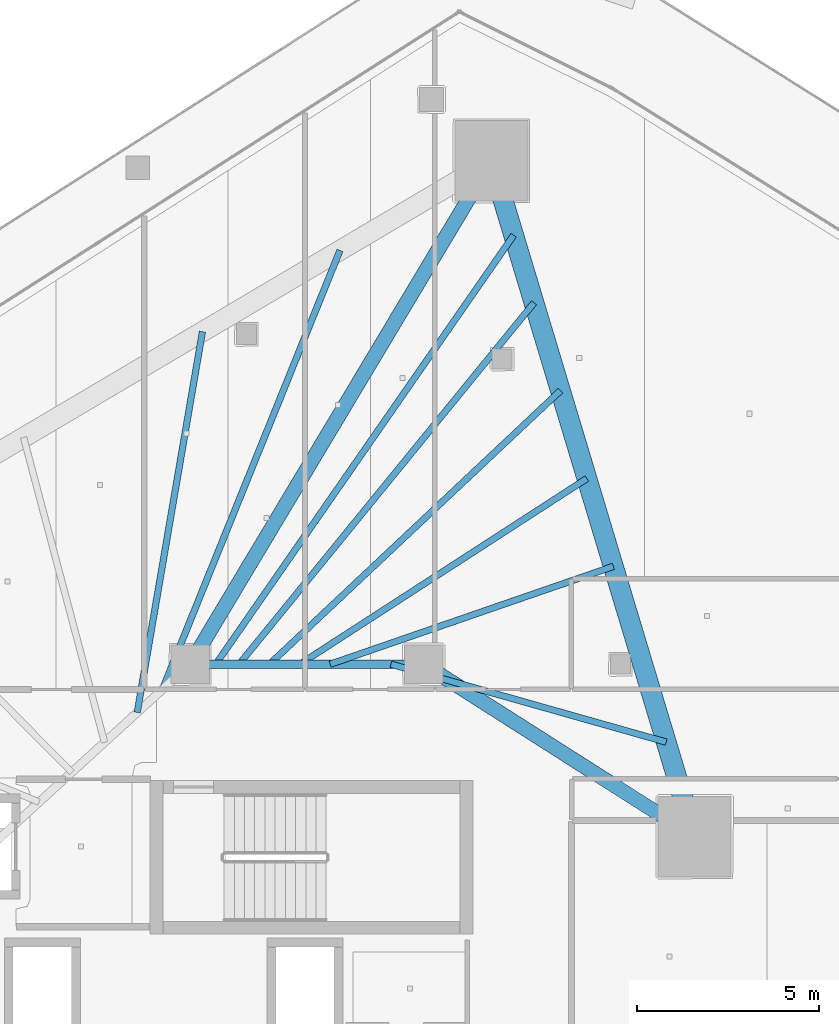
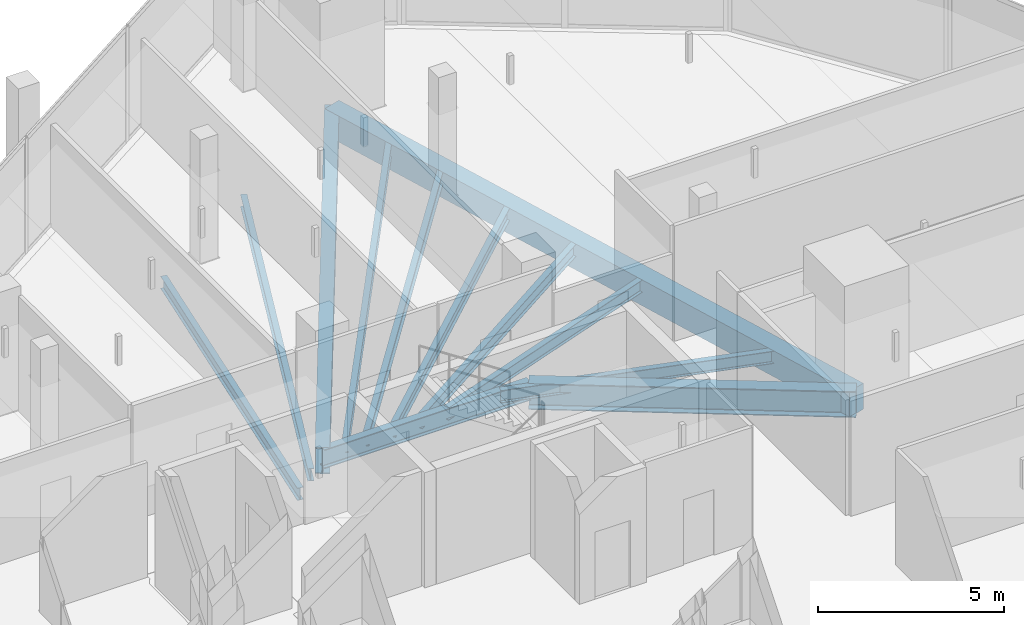
# One storey, part 19 of 39: 12 beams.
"""IFC4 building model written with IfcOpenShell, lengths in metres."""

import ifcopenshell
import ifcopenshell.guid

model = None  # the IFC model being written
_history = None  # IfcOwnerHistory: only IFC2X3 demands one
_inside = {}  # id of a spatial element -> (the spatial element, [elements in it])
_under = {}  # id of a project, library or spatial element -> (it, [spatial elements below it])
_declared = {}  # id of a project -> (the project, [libraries it declares])
_typed = {}  # id of a type object -> (the type object, [elements of that type])
_made_of = {}  # id of a material, layer set ... -> (it, [elements and type objects made of it])


def new_model(schema):
    """Start an empty IFC model of exactly this schema.

    Asked for "IFC4X3", IfcOpenShell would pick the latest addendum, in which some entities
    have other attributes; the version numbers below select the first issue.
    IFC2X3 requires an IfcOwnerHistory on every rooted entity: one is made here for all.
    """
    global model, _history
    if schema == "IFC4X3":
        model = ifcopenshell.file(schema_version=(4, 3, 0, 0))
    else:
        model = ifcopenshell.file(schema=schema)
    _inside.clear()
    _under.clear()
    _declared.clear()
    _typed.clear()
    _made_of.clear()
    _history = None
    if model.schema == "IFC2X3":
        org = make("IfcOrganization", Name="unknown")
        user = make(
            "IfcPersonAndOrganization",
            ThePerson=make("IfcPerson", FamilyName="unknown"),
            TheOrganization=org,
        )
        app = make(
            "IfcApplication",
            ApplicationDeveloper=org,
            Version="unknown",
            ApplicationFullName="unknown",
            ApplicationIdentifier="unknown",
        )
        _history = make(
            "IfcOwnerHistory",
            OwningUser=user,
            OwningApplication=app,
            ChangeAction="ADDED",
            CreationDate=0,
        )
    return model


def make(cls, **values):
    """One entity of the class cls with the attributes given. An attribute that is None is left unset."""
    return model.create_entity(
        cls, **{name: value for name, value in values.items() if value is not None}
    )


def rooted(cls, **values):
    """An entity with a GlobalId (a new one), such as an element, a storey or a relation."""
    return make(cls, GlobalId=ifcopenshell.guid.new(), OwnerHistory=_history, **values)


def si_unit(unit_type, name, prefix=None):
    """IfcSIUnit, for example si_unit("LENGTHUNIT", "METRE", prefix="MILLI")."""
    return make("IfcSIUnit", UnitType=unit_type, Prefix=prefix, Name=name)


def assignment(units):
    """IfcUnitAssignment: the units of a project."""
    return None if units is None else make("IfcUnitAssignment", Units=units)


def point(xyz):
    """IfcCartesianPoint."""
    return None if xyz is None else make("IfcCartesianPoint", Coordinates=xyz)


def direction(xyz):
    """IfcDirection."""
    return None if xyz is None else make("IfcDirection", DirectionRatios=xyz)


def frame(location, z_axis=None, x_axis=None):
    """IfcAxis2Placement3D, a coordinate frame: its origin and axes. An axis left out is left unset."""
    return make(
        "IfcAxis2Placement3D",
        Location=point(location),
        Axis=direction(z_axis),
        RefDirection=direction(x_axis),
    )


def frame_2d(location, x_axis=None):
    """IfcAxis2Placement2D, a coordinate frame in the plane: its origin and x axis."""
    return make(
        "IfcAxis2Placement2D", Location=point(location), RefDirection=direction(x_axis)
    )


def origin():
    """The frame at (0, 0, 0) with its axes left unset."""
    return frame((0.0, 0.0, 0.0))


def origin_2d():
    """The frame at (0, 0) in the plane with its x axis left unset."""
    return frame_2d((0.0, 0.0))


def place(relative_to, where):
    """IfcLocalPlacement: puts the frame where relative to a parent placement (None: the world)."""
    return make(
        "IfcLocalPlacement", PlacementRelTo=relative_to, RelativePlacement=where
    )


def context(
    kind, dimensions, precision=None, world=None, true_north=None, identifier=None
):
    """IfcGeometricRepresentationContext, for example the 3D "Model" context."""
    return make(
        "IfcGeometricRepresentationContext",
        ContextIdentifier=identifier,
        ContextType=kind,
        CoordinateSpaceDimension=dimensions,
        Precision=precision,
        WorldCoordinateSystem=world,
        TrueNorth=true_north,
    )


def subcontext(parent, identifier, kind, view, scale=None):
    """IfcGeometricRepresentationSubContext, for example "Body" below "Model"."""
    return make(
        "IfcGeometricRepresentationSubContext",
        ContextIdentifier=identifier,
        ContextType=kind,
        ParentContext=parent,
        TargetScale=scale,
        TargetView=view,
    )


def project(units=None, contexts=None):
    """IfcProject with its units and contexts."""
    return rooted(
        "IfcProject",
        Name="project",
        RepresentationContexts=contexts,
        UnitsInContext=assignment(units),
    )


def spatial(cls, under=None, at=None, **own):
    """A site, building, storey or space (cls), placed at a placement, below another one or the project."""
    s = rooted(cls, ObjectPlacement=at, **own)
    if under is not None:
        _under.setdefault(under.id(), (under, []))[1].append(s)
    return s


def profile(cls, at=None, kind="AREA", **sizes):
    """A parametric profile (cls). Its sizes go by their IFC names, for example OverallWidth=200.0."""
    return make(cls, ProfileType=kind, Position=at, **sizes)


def rectangle(**sizes):
    """IfcRectangleProfileDef."""
    return profile("IfcRectangleProfileDef", **sizes)


def i_section(**sizes):
    """IfcIShapeProfileDef."""
    return profile("IfcIShapeProfileDef", **sizes)


def extrude(swept, where, along, depth):
    """IfcExtrudedAreaSolid: the profile swept, set in the frame where, extruded along a direction by depth."""
    return make(
        "IfcExtrudedAreaSolid",
        SweptArea=swept,
        Position=where,
        ExtrudedDirection=direction(along),
        Depth=depth,
    )


def shape(context_of_items, identifier, shape_type, items):
    """IfcShapeRepresentation: the items that make up one representation, for example the "Body"."""
    return make(
        "IfcShapeRepresentation",
        ContextOfItems=context_of_items,
        RepresentationIdentifier=identifier,
        RepresentationType=shape_type,
        Items=items,
    )


def material(Name=None, Category=None):
    """IfcMaterial."""
    return make("IfcMaterial", Name=Name, Category=Category)


def material_profile(
    of_material, cross_section, Name=None, Category=None, Priority=None
):
    """IfcMaterialProfile: a cross section and its material."""
    return make(
        "IfcMaterialProfile",
        Name=Name,
        Material=of_material,
        Profile=cross_section,
        Priority=Priority,
        Category=Category,
    )


def profile_set(profiles, Name=None, composite=None):
    """IfcMaterialProfileSet."""
    return make(
        "IfcMaterialProfileSet",
        Name=Name,
        MaterialProfiles=profiles,
        CompositeProfile=composite,
    )


def made_of(thing, what):
    """Note that an element or type object is made of a material, layer set ...; save() writes the relation."""
    if what is not None:
        _made_of.setdefault(what.id(), (what, []))[1].append(thing)
    return thing


def type_object(cls, material=None, **own):
    """A type object (cls), such as IfcWallType, which elements share."""
    return made_of(rooted(cls, **own), material)


def element(
    cls,
    number,
    at=None,
    inside=None,
    cuts=None,
    type_object=None,
    material=None,
    context=None,
    identifier="Body",
    shape_type=None,
    held_by="IfcProductDefinitionShape",
    body=None,
    shapes=None,
    **own,
):
    """One element of the class cls, such as IfcWall. Its Tag is "e" and its number.

    at: its placement. inside: the storey or other place that contains it. cuts: it is an
    opening in that element (IfcRelVoidsElement). A single representation is given by context,
    identifier, shape_type and body (its items); several are given by shapes. held_by: the class
    of the entity that holds the representations. save() writes the other relations.
    """
    e = rooted(cls, Tag="e%d" % number, ObjectPlacement=at, **own)
    if body is not None:
        shapes = [shape(context, identifier, shape_type, body)]
    if shapes is not None:
        e.Representation = make(held_by, Representations=shapes)
    if inside is not None:
        _inside.setdefault(inside.id(), (inside, []))[1].append(e)
    if cuts is not None:
        rooted(
            "IfcRelVoidsElement", RelatingBuildingElement=cuts, RelatedOpeningElement=e
        )
    if type_object is not None:
        _typed.setdefault(type_object.id(), (type_object, []))[1].append(e)
    return made_of(e, material)


def aggregate(whole, parts):
    """IfcRelAggregates: a whole, such as a stair, and the parts it consists of."""
    return rooted("IfcRelAggregates", RelatingObject=whole, RelatedObjects=parts)


def save(model, path):
    """Write the relations noted so far, then the file.

    IfcRelAggregates (storeys below a building ...), IfcRelContainedInSpatialStructure (elements
    in a storey), IfcRelDefinesByType, IfcRelAssociatesMaterial and IfcRelDeclares: one each for
    every whole, place, type object, material and project.
    """
    for whole, parts in _under.values():
        aggregate(whole, parts)
    for where, things in _inside.values():
        rooted(
            "IfcRelContainedInSpatialStructure",
            RelatedElements=things,
            RelatingStructure=where,
        )
    for kind, things in _typed.values():
        rooted("IfcRelDefinesByType", RelatedObjects=things, RelatingType=kind)
    for what, things in _made_of.values():
        rooted("IfcRelAssociatesMaterial", RelatedObjects=things, RelatingMaterial=what)
    for by, libraries in _declared.values():
        rooted("IfcRelDeclares", RelatingContext=by, RelatedDefinitions=libraries)
    model.write(path)


model = new_model("IFC4")

# Units and contexts
model_context = context("Model", 3, precision=1e-05, world=origin(), true_north=direction((0.0, 1.0)))
body_context = subcontext(model_context, "Body", "Model", "MODEL_VIEW")
ifc_project = project(units=[si_unit("LENGTHUNIT", "METRE"), si_unit("AREAUNIT", "SQUARE_METRE"), si_unit("VOLUMEUNIT", "CUBIC_METRE"), si_unit("PLANEANGLEUNIT", "RADIAN"), si_unit("MASSUNIT", "GRAM", prefix="KILO")], contexts=[model_context])

# Site, building, storey
site_placement = place(None, origin())
site = spatial("IfcSite", under=ifc_project, at=site_placement, CompositionType="ELEMENT")
building_placement = place(site_placement, origin())
building = spatial("IfcBuilding", under=site, at=building_placement, Name="Qorvath Tower", CompositionType="ELEMENT")
storey_placement = place(building_placement, frame((0.0, 0.0, 162.449951171875)))
storey = spatial("IfcBuildingStorey", under=building, at=storey_placement, Name="L37", CompositionType="ELEMENT", Elevation=162.449951171875)

# Beams
ifc_material_1 = material(Name="Steel ASTM A992 Grade 50", Category="steel")
ifc_material_profile_1 = material_profile(ifc_material_1, i_section(OverallWidth=0.39892578125, OverallDepth=0.85498046875, WebThickness=0.018310546875, FlangeThickness=0.029296875, FilletRadius=0.02001953125, at=origin_2d()), Name="W33x201")
ifc_profile_set_1 = profile_set([ifc_material_profile_1], Name="Steel ASTM A992 Grade 50")
beam_type_1 = type_object("IfcBeamType", Name="BM-FG2", PredefinedType="BEAM", material=ifc_profile_set_1)
beam_1_placement = place(storey_placement, frame((-23.60009765625, 11.449951171875, -0.697509765625), z_axis=(0.513497213955, 0.85809126045, 0.0), x_axis=(-0.85809126045, 0.513497213955, 0.0)))
element("IfcBeam", 1, at=beam_1_placement, inside=storey, type_object=beam_type_1, Name="Radial Floor Girder CC1-MC6 L37", PredefinedType="BEAM", context=body_context, shape_type="SweptSolid", body=[
    extrude(i_section(OverallWidth=0.39892578125, OverallDepth=0.85498046875, WebThickness=0.018310546875, FlangeThickness=0.029296875, FilletRadius=0.02001953125, at=origin_2d()), origin(), (0.0, 0.0, 1.0), 16.07763671875),
])
beam_2_placement = place(storey_placement, frame((-17.199951171875, 11.449951171875, -0.697509765625), z_axis=(0.843634090834, -0.536918542037, 0.0), x_axis=(0.536918542037, 0.843634090834, 0.0)))
element("IfcBeam", 2, at=beam_2_placement, inside=storey, type_object=beam_type_1, Name="Radial Floor Girder CC2-MC5 L37", PredefinedType="BEAM", context=body_context, shape_type="SweptSolid", body=[
    extrude(i_section(OverallWidth=0.39892578125, OverallDepth=0.85498046875, WebThickness=0.018310546875, FlangeThickness=0.029296875, FilletRadius=0.02001953125, at=origin_2d()), origin(), (0.0, 0.0, 1.0), 8.806884765625),
])
ifc_material_2 = material(Name="Steel ASTM A992 Grade 50", Category="steel")
ifc_material_profile_2 = material_profile(ifc_material_2, i_section(OverallWidth=0.22998046875, OverallDepth=0.616943359375, WebThickness=0.01318359375, FlangeThickness=0.022216796875, FilletRadius=0.014892578125, at=origin_2d()), Name="W24x94")
ifc_profile_set_2 = profile_set([ifc_material_profile_2], Name="Steel ASTM A992 Grade 50")
beam_type_2 = type_object("IfcBeamType", Name="BM-FG6", PredefinedType="BEAM", material=ifc_profile_set_2)
beam_3_placement = place(storey_placement, frame((-23.60009765625, 11.449951171875, -0.57861328125), z_axis=(1.0, 0.0, 0.0), x_axis=(0.0, 1.0, 0.0)))
element("IfcBeam", 3, at=beam_3_placement, inside=storey, type_object=beam_type_2, Name="Core Ring Girder CC1-CC2 L37", PredefinedType="BEAM", context=body_context, shape_type="SweptSolid", body=[
    extrude(i_section(OverallWidth=0.22998046875, OverallDepth=0.616943359375, WebThickness=0.01318359375, FlangeThickness=0.022216796875, FilletRadius=0.014892578125, at=origin_2d()), origin(), (0.0, 0.0, 1.0), 6.400146484375),
])
ifc_material_3 = material(Name="Steel ASTM A992 Grade 50", Category="steel")
ifc_material_profile_3 = material_profile(ifc_material_3, i_section(OverallWidth=0.177978515625, OverallDepth=0.406005859375, WebThickness=0.0078125, FlangeThickness=0.0126953125, FilletRadius=0.010986328125, at=origin_2d()), Name="W16x40")
ifc_profile_set_3 = profile_set([ifc_material_profile_3], Name="Steel ASTM A992 Grade 50")
beam_type_3 = type_object("IfcBeamType", Name="BM-FJ3", PredefinedType="JOIST", material=ifc_profile_set_3)
beam_4_placement = place(storey_placement, frame((-18.095947265625, 11.449951171875, -0.47314453125), z_axis=(0.962222206221, -0.272265359264, 0.0), x_axis=(0.272265359264, 0.962222206221, 0.0)))
element("IfcBeam", 4, at=beam_4_placement, inside=storey, type_object=beam_type_3, Name="Composite Floor Joist NE1 L37", PredefinedType="JOIST", context=body_context, shape_type="SweptSolid", body=[
    extrude(i_section(OverallWidth=0.177978515625, OverallDepth=0.406005859375, WebThickness=0.0078125, FlangeThickness=0.0126953125, FilletRadius=0.010986328125, at=origin_2d()), origin(), (0.0, 0.0, 1.0), 7.841552734375),
])
beam_5_placement = place(storey_placement, frame((-19.760009765625, 11.449951171875, -0.47314453125), z_axis=(0.945168345309, 0.326583525342, 0.0), x_axis=(-0.326583525342, 0.945168345309, 0.0)))
element("IfcBeam", 5, at=beam_5_placement, inside=storey, type_object=beam_type_3, Name="Composite Floor Joist NE3 L37", PredefinedType="JOIST", context=body_context, shape_type="SweptSolid", body=[
    extrude(i_section(OverallWidth=0.177978515625, OverallDepth=0.406005859375, WebThickness=0.0078125, FlangeThickness=0.0126953125, FilletRadius=0.010986328125, at=origin_2d()), origin(), (0.0, 0.0, 1.0), 8.21044921875),
])
beam_6_placement = place(storey_placement, frame((-20.592041015625, 11.449951171875, -0.47314453125), z_axis=(0.839630966809, 0.543157288062, 0.0), x_axis=(-0.543157288062, 0.839630966809, 0.0)))
element("IfcBeam", 6, at=beam_6_placement, inside=storey, type_object=beam_type_3, Name="Composite Floor Joist NE4 L37", PredefinedType="JOIST", context=body_context, shape_type="SweptSolid", body=[
    extrude(i_section(OverallWidth=0.177978515625, OverallDepth=0.406005859375, WebThickness=0.0078125, FlangeThickness=0.0126953125, FilletRadius=0.010986328125, at=origin_2d()), origin(), (0.0, 0.0, 1.0), 9.370361328125),
])
beam_7_placement = place(storey_placement, frame((-21.424072265625, 11.449951171875, -0.47314453125), z_axis=(0.728572459091, 0.684968737866, 0.0), x_axis=(-0.684968737866, 0.728572459091, 0.0)))
element("IfcBeam", 7, at=beam_7_placement, inside=storey, type_object=beam_type_3, Name="Composite Floor Joist NE5 L37", PredefinedType="JOIST", context=body_context, shape_type="SweptSolid", body=[
    extrude(i_section(OverallWidth=0.177978515625, OverallDepth=0.406005859375, WebThickness=0.0078125, FlangeThickness=0.0126953125, FilletRadius=0.010986328125, at=origin_2d()), origin(), (0.0, 0.0, 1.0), 10.9462890625),
])
beam_8_placement = place(storey_placement, frame((-22.256103515625, 11.449951171875, -0.47314453125), z_axis=(0.632187975212, 0.774815051478, 0.0), x_axis=(-0.774815051478, 0.632187975212, 0.0)))
element("IfcBeam", 8, at=beam_8_placement, inside=storey, type_object=beam_type_3, Name="Composite Floor Joist NE6 L37", PredefinedType="JOIST", context=body_context, shape_type="SweptSolid", body=[
    extrude(i_section(OverallWidth=0.177978515625, OverallDepth=0.406005859375, WebThickness=0.0078125, FlangeThickness=0.0126953125, FilletRadius=0.010986328125, at=origin_2d()), origin(), (0.0, 0.0, 1.0), 12.784912109375),
])
beam_9_placement = place(storey_placement, frame((-22.89599609375, 11.449951171875, -0.47314453125), z_axis=(0.570366725248, 0.821390162304, 0.0), x_axis=(-0.821390162304, 0.570366725248, 0.0)))
element("IfcBeam", 9, at=beam_9_placement, inside=storey, type_object=beam_type_3, Name="Composite Floor Joist NE7 L37", PredefinedType="JOIST", context=body_context, shape_type="SweptSolid", body=[
    extrude(i_section(OverallWidth=0.177978515625, OverallDepth=0.406005859375, WebThickness=0.0078125, FlangeThickness=0.0126953125, FilletRadius=0.010986328125, at=origin_2d()), origin(), (0.0, 0.0, 1.0), 14.3154296875),
])
beam_10_placement = place(storey_placement, frame((-25.049072265625, 10.126953125, -0.47314453125), z_axis=(0.168745594245, 0.985659639238, 0.0), x_axis=(-0.985659639238, 0.168745594245, 0.0)))
element("IfcBeam", 10, at=beam_10_placement, inside=storey, type_object=beam_type_3, Name="Composite Floor Joist NW6 L37", PredefinedType="JOIST", context=body_context, shape_type="SweptSolid", body=[
    extrude(i_section(OverallWidth=0.177978515625, OverallDepth=0.406005859375, WebThickness=0.0078125, FlangeThickness=0.0126953125, FilletRadius=0.010986328125, at=origin_2d()), origin(), (0.0, 0.0, 1.0), 10.589111328125),
])
beam_11_placement = place(storey_placement, frame((-24.35888671875, 10.757080078125, -0.47314453125), z_axis=(0.37487652097, 0.927074751045, 0.0), x_axis=(-0.927074751045, 0.37487652097, 0.0)))
element("IfcBeam", 11, at=beam_11_placement, inside=storey, type_object=beam_type_3, Name="Composite Floor Joist NW7 L37", PredefinedType="JOIST", context=body_context, shape_type="SweptSolid", body=[
    extrude(i_section(OverallWidth=0.177978515625, OverallDepth=0.406005859375, WebThickness=0.0078125, FlangeThickness=0.0126953125, FilletRadius=0.010986328125, at=origin_2d()), origin(), (0.0, 0.0, 1.0), 12.9833984375),
])
ifc_material_4 = material(Name="Concrete C50/60", Category="concrete")
ifc_material_profile_4 = material_profile(ifc_material_4, rectangle(XDim=0.550048828125, YDim=0.85009765625, at=origin_2d()), Name="RCB 850x550")
ifc_profile_set_4 = profile_set([ifc_material_profile_4], Name="Concrete C50/60")
beam_type_4 = type_object("IfcBeamType", Name="BM-RCB2", PredefinedType="SPANDREL", material=ifc_profile_set_4)
beam_12_placement = place(storey_placement, frame((-9.770263671875, 6.721435546875, -0.695068359375), z_axis=(-0.288133952099, 0.957590113591, 0.0), x_axis=(-0.957590113591, -0.288133952099, 0.0)))
element("IfcBeam", 12, at=beam_12_placement, inside=storey, type_object=beam_type_4, Name="Perimeter Loggia Frame Beam MC5-MC6 L37", PredefinedType="SPANDREL", context=body_context, shape_type="SweptSolid", body=[
    extrude(rectangle(XDim=0.550048828125, YDim=0.85009765625, at=origin_2d()), origin(), (0.0, 0.0, 1.0), 19.344970703125),
])

save(model, "model.ifc")
